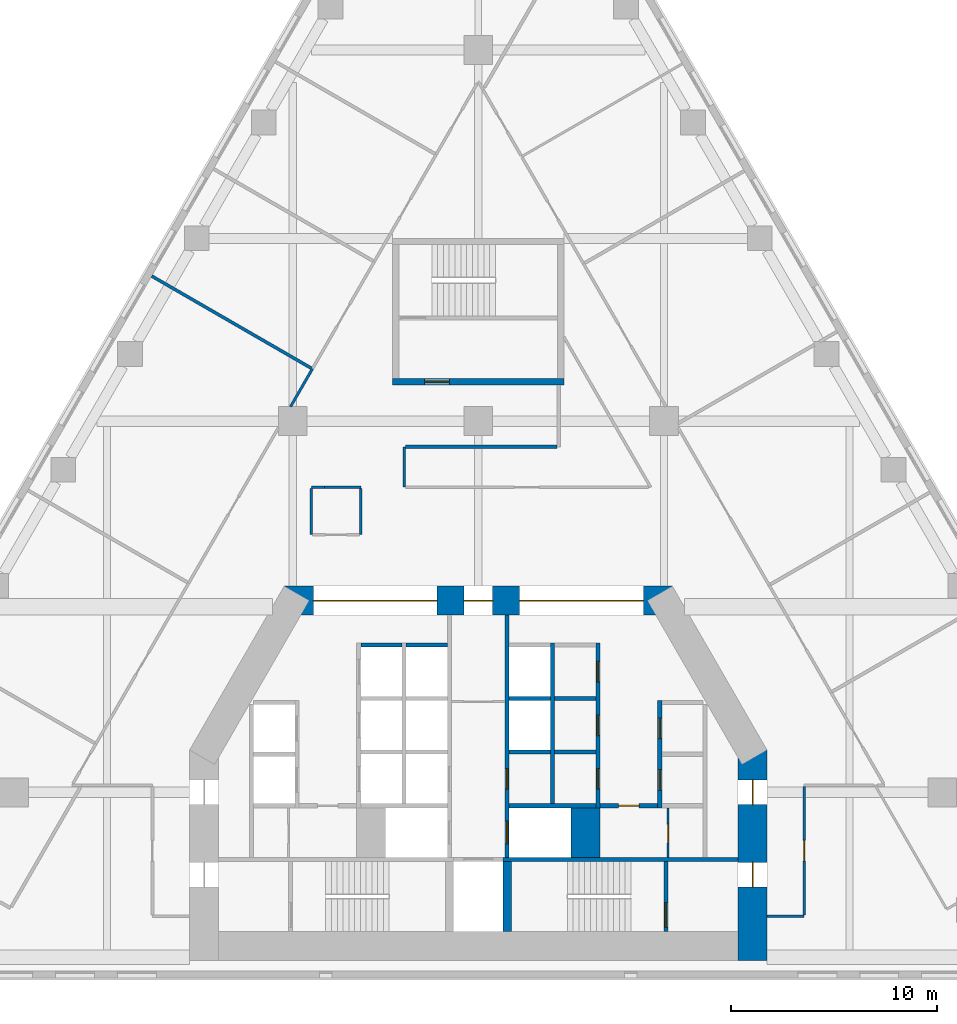
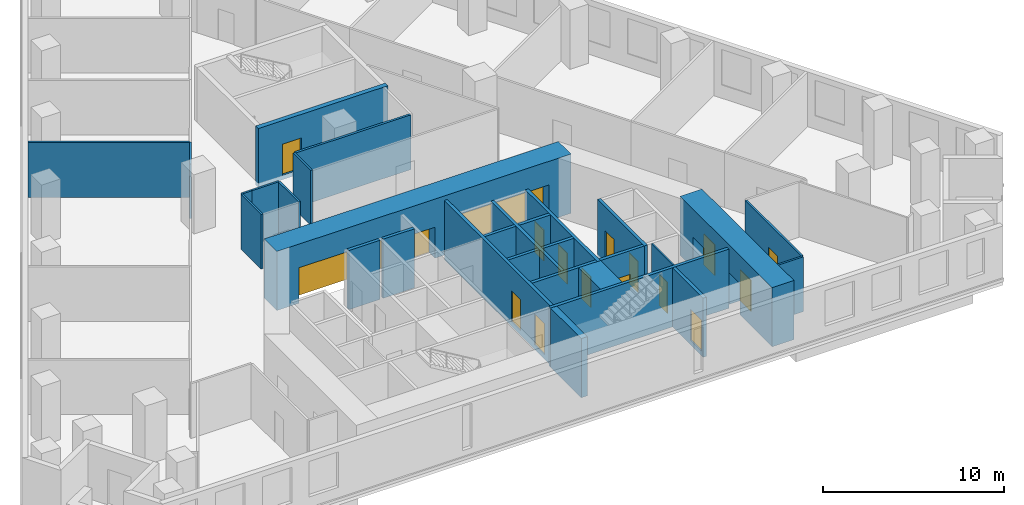
# One storey, part 5 of 9: 30 walls, 17 doors, 17 openings.
"""IFC4 building model written with IfcOpenShell, lengths in metres."""

from ifc_helpers import new_model, si_unit, direction, frame, frame_2d, origin, place, context, subcontext, project, spatial, rectangle, extrude, material, layer, layer_set, type_object, element, fill, save


model = new_model("IFC4")

# Units and contexts
model_context = context("Model", 3, precision=1e-05, world=origin(), true_north=direction((0.0, 1.0)))
body_context = subcontext(model_context, "Body", "Model", "MODEL_VIEW")
ifc_project = project(units=[si_unit("LENGTHUNIT", "METRE"), si_unit("AREAUNIT", "SQUARE_METRE"), si_unit("VOLUMEUNIT", "CUBIC_METRE"), si_unit("PLANEANGLEUNIT", "RADIAN"), si_unit("MASSUNIT", "GRAM", prefix="KILO")], contexts=[model_context])

# Site, building, storey
site_placement = place(None, origin())
site = spatial("IfcSite", under=ifc_project, at=site_placement, CompositionType="ELEMENT")
building_placement = place(site_placement, origin())
building = spatial("IfcBuilding", under=site, at=building_placement, Name="Fogline Exchange Tower", CompositionType="ELEMENT")
storey_placement = place(building_placement, frame((0.0, 0.0, 68.89990234375)))
storey = spatial("IfcBuildingStorey", under=building, at=storey_placement, Name="L14", CompositionType="ELEMENT", Elevation=68.89990234375)

# Wall, opening, door
ifc_material_1 = material(Name="Blockwork partition", Category="masonry")
ifc_layer_1 = layer(ifc_material_1, 0.10009765625)
ifc_layer_set_1 = layer_set([ifc_layer_1], Name="CW10")
wall_type_1 = type_object("IfcWallType", Name="CW10", PredefinedType="PARTITIONING", material=ifc_layer_set_1)
wall_1_placement = place(storey_placement, frame((9.199951171875, 5.85009765625, 0.0), z_axis=(0.0, 0.0, 1.0), x_axis=(0.0, 1.0, 0.0)))
wall_1 = element("IfcWall", 1, at=wall_1_placement, inside=storey, type_object=wall_type_1, Name="WC partition", PredefinedType="PARTITIONING", context=body_context, shape_type="SweptSolid", body=[
    extrude(rectangle(XDim=2.39990234375, YDim=0.10009765625, at=frame_2d((1.199951171875, 0.0))), origin(), (0.0, 0.0, 1.0), 3.7001953125),
])
opening_1_placement = place(wall_1_placement, frame((0.699951171875, 0.0, 0.0)))
opening_1 = element("IfcOpeningElement", 2, at=opening_1_placement, cuts=wall_1, Name="Opening T04-C013", PredefinedType="OPENING", context=body_context, shape_type="SweptSolid", body=[
    extrude(rectangle(XDim=0.89990234375, YDim=2.10009765625, at=frame_2d((0.449951171875, 1.050048828125))), frame((0.0, 0.06005859375, 0.0), z_axis=(0.0, -1.0, 0.0), x_axis=(1.0, 0.0, 0.0)), (0.0, 0.0, 1.0), 0.1201171875),
])
ifc_material_2 = material(Name="Steel and timber fire door", Category="steel")
door_type_1 = type_object("IfcDoorType", Name="D-CS1", OperationType="SINGLE_SWING_RIGHT", PredefinedType="DOOR", material=ifc_material_2)
door_1_placement = place(opening_1_placement, frame((0.89990234375, 0.0, 0.0), z_axis=(0.0, 0.0, 1.0), x_axis=(-1.0, 0.0, 0.0)))
door_1 = element("IfcDoor", 3, at=door_1_placement, inside=storey, type_object=door_type_1, Name="Door to Cleaner's Store", OperationType="SINGLE_SWING_RIGHT", OverallHeight=2.10009765625, OverallWidth=0.89990234375, PredefinedType="DOOR", context=body_context, shape_type="SweptSolid", body=[
    extrude(rectangle(XDim=0.89990234375, YDim=2.10009765625, at=frame_2d((0.449951171875, 1.050048828125))), frame((0.0, 0.02490234375, 0.0), z_axis=(0.0, -1.0, 0.0), x_axis=(1.0, 0.0, 0.0)), (0.0, 0.0, 1.0), 0.050048828125),
])
fill(opening_1, door_1)

# Wall
ifc_material_3 = material(Name="Concrete C60", Category="concrete")
ifc_layer_2 = layer(ifc_material_3, 1.39990234375)
ifc_layer_set_2 = layer_set([ifc_layer_2], Name="CW140")
wall_type_2 = type_object("IfcWallType", Name="CW140", PredefinedType="SOLIDWALL", material=ifc_layer_set_2)
wall_2_placement = place(storey_placement, frame((5.199951171875, 5.85009765625, -0.2998046875), z_axis=(0.0, 0.0, 1.0), x_axis=(0.0, 1.0, 0.0)))
element("IfcWall", 4, at=wall_2_placement, inside=storey, type_object=wall_type_2, Name="Lift shaft block wall", PredefinedType="SOLIDWALL", context=body_context, shape_type="SweptSolid", body=[
    extrude(rectangle(XDim=2.39990234375, YDim=1.39990234375, at=frame_2d((1.199951171875, 0.0))), origin(), (0.0, 0.0, 1.0), 4.0),
])

# Wall, opening, door
ifc_material_4 = material(Name="Concrete C40", Category="concrete")
ifc_layer_3 = layer(ifc_material_4, 0.199951171875)
ifc_layer_set_3 = layer_set([ifc_layer_3], Name="CW20")
wall_type_3 = type_object("IfcWallType", Name="CW20", PredefinedType="SOLIDWALL", material=ifc_layer_set_3)
wall_3_placement = place(storey_placement, frame((5.89990234375, 8.35009765625, 0.0), z_axis=(0.0, 0.0, 1.0), x_axis=(1.0, 0.0, 0.0)))
wall_3 = element("IfcWall", 5, at=wall_3_placement, inside=storey, type_object=wall_type_3, Name="WC wall", PredefinedType="SOLIDWALL", context=body_context, shape_type="SweptSolid", body=[
    extrude(rectangle(XDim=2.800048828125, YDim=0.199951171875, at=frame_2d((1.39990234375, 0.0))), origin(), (0.0, 0.0, 1.0), 3.7001953125),
])
opening_2_placement = place(wall_3_placement, frame((0.89990234375, 0.0, 0.0)))
opening_2 = element("IfcOpeningElement", 6, at=opening_2_placement, cuts=wall_3, Name="Opening T04-C012", PredefinedType="OPENING", context=body_context, shape_type="SweptSolid", body=[
    extrude(rectangle(XDim=1.0, YDim=2.10009765625, at=frame_2d((0.5, 1.050048828125))), frame((0.0, 0.10986328125, 0.0), z_axis=(0.0, -1.0, 0.0), x_axis=(1.0, 0.0, 0.0)), (0.0, 0.0, 1.0), 0.219970703125),
])
door_type_2 = type_object("IfcDoorType", Name="D-WC1", OperationType="SINGLE_SWING_LEFT", PredefinedType="DOOR", material=ifc_material_2)
door_2_placement = place(opening_2_placement, frame((1.0, 0.0, 0.0), z_axis=(0.0, 0.0, 1.0), x_axis=(-1.0, 0.0, 0.0)))
door_2 = element("IfcDoor", 7, at=door_2_placement, inside=storey, type_object=door_type_2, Name="Door to Women's WC", OperationType="SINGLE_SWING_LEFT", OverallHeight=2.10009765625, OverallWidth=1.0, PredefinedType="DOOR", context=body_context, shape_type="SweptSolid", body=[
    extrude(rectangle(XDim=1.0, YDim=2.10009765625, at=frame_2d((0.5, 1.050048828125))), frame((0.0, 0.02490234375, 0.0), z_axis=(0.0, -1.0, 0.0), x_axis=(1.0, 0.0, 0.0)), (0.0, 0.0, 1.0), 0.050048828125),
])
fill(opening_2, door_2)

# Wall
ifc_layer_4 = layer(ifc_material_4, 0.199951171875)
ifc_layer_set_4 = layer_set([ifc_layer_4], Name="CW20R")
wall_type_4 = type_object("IfcWallType", Name="CW20R", PredefinedType="SOLIDWALL", material=ifc_layer_set_4)
wall_4_placement = place(storey_placement, frame((1.199951171875, 5.75, -0.2998046875), z_axis=(0.0, 0.0, 1.0), x_axis=(1.0, 0.0, 0.0)))
element("IfcWall", 8, at=wall_4_placement, inside=storey, type_object=wall_type_4, Name="Stair enclosure wall", PredefinedType="SOLIDWALL", context=body_context, shape_type="SweptSolid", body=[
    extrude(rectangle(XDim=11.400146484375, YDim=0.199951171875, at=frame_2d((5.7001953125, 0.0))), origin(), (0.0, 0.0, 1.0), 4.0),
])

# Wall, opening, door
wall_5_placement = place(storey_placement, frame((9.10009765625, 2.25, -0.2998046875), z_axis=(0.0, 0.0, 1.0), x_axis=(0.0, 1.0, 0.0)))
wall_5 = element("IfcWall", 9, at=wall_5_placement, inside=storey, type_object=wall_type_4, Name="Stair enclosure wall", PredefinedType="SOLIDWALL", context=body_context, shape_type="SweptSolid", body=[
    extrude(rectangle(XDim=3.39990234375, YDim=0.199951171875, at=frame_2d((1.699951171875, 0.0))), origin(), (0.0, 0.0, 1.0), 4.0),
])
opening_3_placement = place(wall_5_placement, frame((0.199951171875, 0.0, 0.300048828125)))
opening_3 = element("IfcOpeningElement", 10, at=opening_3_placement, cuts=wall_5, Name="Opening T04-C015", PredefinedType="OPENING", context=body_context, shape_type="SweptSolid", body=[
    extrude(rectangle(XDim=1.199951171875, YDim=2.10009765625, at=frame_2d((0.60009765625, 1.050048828125))), frame((0.0, 0.10986328125, 0.0), z_axis=(0.0, -1.0, 0.0), x_axis=(1.0, 0.0, 0.0)), (0.0, 0.0, 1.0), 0.219970703125),
])
door_type_3 = type_object("IfcDoorType", Name="D-ST1", OperationType="SINGLE_SWING_LEFT", PredefinedType="DOOR", material=ifc_material_2)
door_3_placement = place(opening_3_placement, origin())
door_3 = element("IfcDoor", 11, at=door_3_placement, inside=storey, type_object=door_type_3, Name="Stair door ST2", OperationType="SINGLE_SWING_LEFT", OverallHeight=2.10009765625, OverallWidth=1.199951171875, PredefinedType="DOOR", context=body_context, shape_type="SweptSolid", body=[
    extrude(rectangle(XDim=1.199951171875, YDim=2.10009765625, at=frame_2d((0.60009765625, 1.050048828125))), frame((0.0, 0.02490234375, 0.0), z_axis=(0.0, -1.0, 0.0), x_axis=(1.0, 0.0, 0.0)), (0.0, 0.0, 1.0), 0.050048828125),
])
fill(opening_3, door_3)

# Wall, openings, doors
ifc_layer_5 = layer(ifc_material_4, 0.199951171875)
ifc_layer_set_5 = layer_set([ifc_layer_5], Name="CW20S")
wall_type_5 = type_object("IfcWallType", Name="CW20S", PredefinedType="SOLIDWALL", material=ifc_layer_set_5)
wall_6_placement = place(storey_placement, frame((8.800048828125, 8.25, -0.2998046875), z_axis=(0.0, 0.0, 1.0), x_axis=(0.0, 1.0, 0.0)))
wall_6 = element("IfcWall", 12, at=wall_6_placement, inside=storey, type_object=wall_type_5, Name="Lift shaft wall", PredefinedType="SOLIDWALL", context=body_context, shape_type="SweptSolid", body=[
    extrude(rectangle(XDim=5.199951171875, YDim=0.199951171875, at=frame_2d((2.60009765625, 0.0))), origin(), (0.0, 0.0, 1.0), 4.0),
])
opening_4_placement = place(wall_6_placement, frame((0.85009765625, 0.0, 0.300048828125)))
opening_4 = element("IfcOpeningElement", 13, at=opening_4_placement, cuts=wall_6, Name="Opening T04-C001", PredefinedType="OPENING", context=body_context, shape_type="SweptSolid", body=[
    extrude(rectangle(XDim=1.0, YDim=2.10009765625, at=frame_2d((0.5, 1.050048828125))), frame((0.0, 0.10986328125, 0.0), z_axis=(0.0, -1.0, 0.0), x_axis=(1.0, 0.0, 0.0)), (0.0, 0.0, 1.0), 0.219970703125),
])
opening_5_placement = place(wall_6_placement, frame((3.35009765625, 0.0, 0.300048828125)))
opening_5 = element("IfcOpeningElement", 14, at=opening_5_placement, cuts=wall_6, Name="Opening T04-C002", PredefinedType="OPENING", context=body_context, shape_type="SweptSolid", body=[
    extrude(rectangle(XDim=1.0, YDim=2.10009765625, at=frame_2d((0.5, 1.050048828125))), frame((0.0, 0.10986328125, 0.0), z_axis=(0.0, -1.0, 0.0), x_axis=(1.0, 0.0, 0.0)), (0.0, 0.0, 1.0), 0.219970703125),
])
door_type_4 = type_object("IfcDoorType", Name="D-RM1", OperationType="SINGLE_SWING_LEFT", PredefinedType="DOOR", material=ifc_material_2)
door_4_placement = place(opening_4_placement, frame((1.0, 0.0, 0.0), z_axis=(0.0, 0.0, 1.0), x_axis=(-1.0, 0.0, 0.0)))
door_4 = element("IfcDoor", 15, at=door_4_placement, inside=storey, type_object=door_type_4, Name="Door to Stationery Store", OperationType="SINGLE_SWING_LEFT", OverallHeight=2.10009765625, OverallWidth=1.0, PredefinedType="DOOR", context=body_context, shape_type="SweptSolid", body=[
    extrude(rectangle(XDim=1.0, YDim=2.10009765625, at=frame_2d((0.5, 1.050048828125))), frame((0.0, 0.02490234375, 0.0), z_axis=(0.0, -1.0, 0.0), x_axis=(1.0, 0.0, 0.0)), (0.0, 0.0, 1.0), 0.050048828125),
])
fill(opening_4, door_4)
door_5_placement = place(opening_5_placement, frame((1.0, 0.0, 0.0), z_axis=(0.0, 0.0, 1.0), x_axis=(-1.0, 0.0, 0.0)))
door_5 = element("IfcDoor", 16, at=door_5_placement, inside=storey, type_object=door_type_4, Name="Door to Records Store", OperationType="SINGLE_SWING_LEFT", OverallHeight=2.10009765625, OverallWidth=1.0, PredefinedType="DOOR", context=body_context, shape_type="SweptSolid", body=[
    extrude(rectangle(XDim=1.0, YDim=2.10009765625, at=frame_2d((0.5, 1.050048828125))), frame((0.0, 0.02490234375, 0.0), z_axis=(0.0, -1.0, 0.0), x_axis=(1.0, 0.0, 0.0)), (0.0, 0.0, 1.0), 0.050048828125),
])
fill(opening_5, door_5)

wall_7_placement = place(storey_placement, frame((5.800048828125, 8.25, -0.2998046875), z_axis=(0.0, 0.0, 1.0), x_axis=(0.0, 1.0, 0.0)))
wall_7 = element("IfcWall", 17, at=wall_7_placement, inside=storey, type_object=wall_type_5, Name="Lift shaft wall", PredefinedType="SOLIDWALL", context=body_context, shape_type="SweptSolid", body=[
    extrude(rectangle(XDim=8.0, YDim=0.199951171875, at=frame_2d((4.0, 0.0))), origin(), (0.0, 0.0, 1.0), 4.0),
])
opening_6_placement = place(wall_7_placement, frame((0.89990234375, 0.0, 0.300048828125)))
opening_6 = element("IfcOpeningElement", 18, at=opening_6_placement, cuts=wall_7, Name="Opening T04-C003", PredefinedType="OPENING", context=body_context, shape_type="SweptSolid", body=[
    extrude(rectangle(XDim=1.0, YDim=2.10009765625, at=frame_2d((0.5, 1.050048828125))), frame((0.0, 0.10986328125, 0.0), z_axis=(0.0, -1.0, 0.0), x_axis=(1.0, 0.0, 0.0)), (0.0, 0.0, 1.0), 0.219970703125),
])
opening_7_placement = place(wall_7_placement, frame((3.5, 0.0, 0.300048828125)))
opening_7 = element("IfcOpeningElement", 19, at=opening_7_placement, cuts=wall_7, Name="Opening T04-C004", PredefinedType="OPENING", context=body_context, shape_type="SweptSolid", body=[
    extrude(rectangle(XDim=1.0, YDim=2.10009765625, at=frame_2d((0.5, 1.050048828125))), frame((0.0, 0.10986328125, 0.0), z_axis=(0.0, -1.0, 0.0), x_axis=(1.0, 0.0, 0.0)), (0.0, 0.0, 1.0), 0.219970703125),
])
opening_8_placement = place(wall_7_placement, frame((6.10009765625, 0.0, 0.300048828125)))
opening_8 = element("IfcOpeningElement", 20, at=opening_8_placement, cuts=wall_7, Name="Opening T04-C005", PredefinedType="OPENING", context=body_context, shape_type="SweptSolid", body=[
    extrude(rectangle(XDim=1.0, YDim=2.10009765625, at=frame_2d((0.5, 1.050048828125))), frame((0.0, 0.10986328125, 0.0), z_axis=(0.0, -1.0, 0.0), x_axis=(1.0, 0.0, 0.0)), (0.0, 0.0, 1.0), 0.219970703125),
])
door_6_placement = place(opening_6_placement, origin())
door_6 = element("IfcDoor", 21, at=door_6_placement, inside=storey, type_object=door_type_4, Name="Door to Riser Room", OperationType="SINGLE_SWING_RIGHT", OverallHeight=2.10009765625, OverallWidth=1.0, PredefinedType="DOOR", context=body_context, shape_type="SweptSolid", body=[
    extrude(rectangle(XDim=1.0, YDim=2.10009765625, at=frame_2d((0.5, 1.050048828125))), frame((0.0, 0.02490234375, 0.0), z_axis=(0.0, -1.0, 0.0), x_axis=(1.0, 0.0, 0.0)), (0.0, 0.0, 1.0), 0.050048828125),
])
fill(opening_6, door_6)
door_7_placement = place(opening_7_placement, origin())
door_7 = element("IfcDoor", 22, at=door_7_placement, inside=storey, type_object=door_type_4, Name="Door to Plant Room", OperationType="SINGLE_SWING_LEFT", OverallHeight=2.10009765625, OverallWidth=1.0, PredefinedType="DOOR", context=body_context, shape_type="SweptSolid", body=[
    extrude(rectangle(XDim=1.0, YDim=2.10009765625, at=frame_2d((0.5, 1.050048828125))), frame((0.0, 0.02490234375, 0.0), z_axis=(0.0, -1.0, 0.0), x_axis=(1.0, 0.0, 0.0)), (0.0, 0.0, 1.0), 0.050048828125),
])
fill(opening_7, door_7)
door_8_placement = place(opening_8_placement, origin())
door_8 = element("IfcDoor", 23, at=door_8_placement, inside=storey, type_object=door_type_4, Name="Door to Cable Store", OperationType="SINGLE_SWING_LEFT", OverallHeight=2.10009765625, OverallWidth=1.0, PredefinedType="DOOR", context=body_context, shape_type="SweptSolid", body=[
    extrude(rectangle(XDim=1.0, YDim=2.10009765625, at=frame_2d((0.5, 1.050048828125))), frame((0.0, 0.02490234375, 0.0), z_axis=(0.0, -1.0, 0.0), x_axis=(1.0, 0.0, 0.0)), (0.0, 0.0, 1.0), 0.050048828125),
])
fill(opening_8, door_8)

# Wall
wall_8_placement = place(storey_placement, frame((3.60009765625, 8.449951171875, -0.2998046875), z_axis=(0.0, 0.0, 1.0), x_axis=(0.0, 1.0, 0.0)))
element("IfcWall", 24, at=wall_8_placement, inside=storey, type_object=wall_type_5, Name="Lift shaft wall", PredefinedType="SOLIDWALL", context=body_context, shape_type="SweptSolid", body=[
    extrude(rectangle(XDim=7.800048828125, YDim=0.199951171875, at=frame_2d((3.89990234375, 0.0))), origin(), (0.0, 0.0, 1.0), 4.0),
])

# Wall, openings, doors
wall_9_placement = place(storey_placement, frame((1.39990234375, 5.85009765625, -0.2998046875), z_axis=(0.0, 0.0, 1.0), x_axis=(0.0, 1.0, 0.0)))
wall_9 = element("IfcWall", 25, at=wall_9_placement, inside=storey, type_object=wall_type_5, Name="Lift lobby wall", PredefinedType="SOLIDWALL", context=body_context, shape_type="SweptSolid", body=[
    extrude(rectangle(XDim=11.75, YDim=0.199951171875, at=frame_2d((5.875, 0.0))), origin(), (0.0, 0.0, 1.0), 4.0),
])
opening_9_placement = place(wall_9_placement, frame((0.64990234375, 0.0, 0.300048828125)))
opening_9 = element("IfcOpeningElement", 26, at=opening_9_placement, cuts=wall_9, Name="Opening T04-LD08", PredefinedType="OPENING", context=body_context, shape_type="SweptSolid", body=[
    extrude(rectangle(XDim=1.10009765625, YDim=2.10009765625, at=frame_2d((0.550048828125, 1.050048828125))), frame((0.0, 0.10986328125, 0.0), z_axis=(0.0, -1.0, 0.0), x_axis=(1.0, 0.0, 0.0)), (0.0, 0.0, 1.0), 0.219970703125),
])
opening_10_placement = place(wall_9_placement, frame((3.300048828125, 0.0, 0.300048828125)))
opening_10 = element("IfcOpeningElement", 27, at=opening_10_placement, cuts=wall_9, Name="Opening T04-C006", PredefinedType="OPENING", context=body_context, shape_type="SweptSolid", body=[
    extrude(rectangle(XDim=1.0, YDim=2.10009765625, at=frame_2d((0.5, 1.050048828125))), frame((0.0, 0.10986328125, 0.0), z_axis=(0.0, -1.0, 0.0), x_axis=(1.0, 0.0, 0.0)), (0.0, 0.0, 1.0), 0.219970703125),
])
door_9_placement = place(opening_10_placement, frame((1.0, 0.0, 0.0), z_axis=(0.0, 0.0, 1.0), x_axis=(-1.0, 0.0, 0.0)))
door_9 = element("IfcDoor", 28, at=door_9_placement, inside=storey, type_object=door_type_4, Name="Door to Server Room", OperationType="SINGLE_SWING_RIGHT", OverallHeight=2.10009765625, OverallWidth=1.0, PredefinedType="DOOR", context=body_context, shape_type="SweptSolid", body=[
    extrude(rectangle(XDim=1.0, YDim=2.10009765625, at=frame_2d((0.5, 1.050048828125))), frame((0.0, 0.02490234375, 0.0), z_axis=(0.0, -1.0, 0.0), x_axis=(1.0, 0.0, 0.0)), (0.0, 0.0, 1.0), 0.050048828125),
])
fill(opening_10, door_9)
door_type_5 = type_object("IfcDoorType", Name="LD2", OperationType="SLIDING_TO_RIGHT", PredefinedType="DOOR", material=ifc_material_2)
door_10_placement = place(opening_9_placement, origin())
door_10 = element("IfcDoor", 29, at=door_10_placement, inside=storey, type_object=door_type_5, Name="Landing door FF2", OperationType="SLIDING_TO_RIGHT", OverallHeight=2.10009765625, OverallWidth=1.10009765625, PredefinedType="DOOR", context=body_context, shape_type="SweptSolid", body=[
    extrude(rectangle(XDim=1.10009765625, YDim=2.10009765625, at=frame_2d((0.550048828125, 1.050048828125))), frame((0.0, 0.02490234375, 0.0), z_axis=(0.0, -1.0, 0.0), x_axis=(1.0, 0.0, 0.0)), (0.0, 0.0, 1.0), 0.050048828125),
])
fill(opening_9, door_10)

# Walls
wall_10_placement = place(storey_placement, frame((1.5, 8.35009765625, -0.2998046875), z_axis=(0.0, 0.0, 1.0), x_axis=(1.0, 0.0, 0.0)))
element("IfcWall", 30, at=wall_10_placement, inside=storey, type_object=wall_type_5, Name="Lift shaft wall", PredefinedType="SOLIDWALL", context=body_context, shape_type="SweptSolid", body=[
    extrude(rectangle(XDim=4.199951171875, YDim=0.199951171875, at=frame_2d((2.10009765625, 0.0))), origin(), (0.0, 0.0, 1.0), 4.0),
])
for number, where, z_axis, x_axis, name in (
    (31, (-5.699951171875, 16.14990234375, -0.2998046875), (0.0, 0.0, 1.0), (1.0, 0.0, 0.0), "Lift shaft wall"),
    (32, (-3.5, 16.14990234375, -0.2998046875), (0.0, 0.0, 1.0), (1.0, 0.0, 0.0), "Lift shaft wall"),
    (33, (3.699951171875, 10.949951171875, -0.2998046875), (0.0, 0.0, 1.0), (1.0, 0.0, 0.0), "Lift shaft wall"),
    (34, (3.699951171875, 13.550048828125, -0.2998046875), (0.0, 0.0, 1.0), (1.0, 0.0, 0.0), "Lift shaft wall"),
    (35, (1.5, 10.949951171875, -0.2998046875), (0.0, 0.0, 1.0), (1.0, 0.0, 0.0), "Lift shaft wall"),
    (36, (1.5, 13.550048828125, -0.2998046875), (0.0, 0.0, 1.0), (1.0, 0.0, 0.0), "Lift shaft wall"),
):
    element("IfcWall", number, at=place(storey_placement, frame(where, z_axis=z_axis, x_axis=x_axis)), inside=storey, type_object=wall_type_5, Name=name, PredefinedType="SOLIDWALL", context=body_context, shape_type="SweptSolid", body=[
        extrude(rectangle(XDim=2.0, YDim=0.199951171875, at=frame_2d((1.0, 0.0))), origin(), (0.0, 0.0, 1.0), 4.0),
    ])

# Wall, opening, door
ifc_layer_6 = layer(ifc_material_4, 0.300048828125)
ifc_layer_set_6 = layer_set([ifc_layer_6], Name="CW30")
wall_type_6 = type_object("IfcWallType", Name="CW30", PredefinedType="SOLIDWALL", material=ifc_layer_set_6)
wall_11_placement = place(storey_placement, frame((-4.14990234375, 28.906982421875, -0.2998046875), z_axis=(0.0, 0.0, 1.0), x_axis=(1.0, 0.0, 0.0)))
wall_11 = element("IfcWall", 37, at=wall_11_placement, inside=storey, type_object=wall_type_6, Name="Stair enclosure wall ST3", PredefinedType="SOLIDWALL", context=body_context, shape_type="SweptSolid", body=[
    extrude(rectangle(XDim=8.2998046875, YDim=0.300048828125, at=frame_2d((4.14990234375, 0.0))), origin(), (0.0, 0.0, 1.0), 4.0),
])
opening_11_placement = place(wall_11_placement, frame((1.550048828125, 0.0, 0.300048828125)))
opening_11 = element("IfcOpeningElement", 38, at=opening_11_placement, cuts=wall_11, Name="Opening T04-C021", PredefinedType="OPENING", context=body_context, shape_type="SweptSolid", body=[
    extrude(rectangle(XDim=1.199951171875, YDim=2.10009765625, at=frame_2d((0.60009765625, 1.050048828125))), frame((0.0, 0.16015625, 0.0), z_axis=(0.0, -1.0, 0.0), x_axis=(1.0, 0.0, 0.0)), (0.0, 0.0, 1.0), 0.320068359375),
])
door_type_6 = type_object("IfcDoorType", Name="D-FR1", OperationType="SINGLE_SWING_RIGHT", PredefinedType="DOOR", material=ifc_material_2)
door_11_placement = place(opening_11_placement, origin())
door_11 = element("IfcDoor", 39, at=door_11_placement, inside=storey, type_object=door_type_6, Name="Front room door ST3", OperationType="SINGLE_SWING_LEFT", OverallHeight=2.10009765625, OverallWidth=1.199951171875, PredefinedType="DOOR", context=body_context, shape_type="SweptSolid", body=[
    extrude(rectangle(XDim=1.199951171875, YDim=2.10009765625, at=frame_2d((0.60009765625, 1.050048828125))), frame((0.0, 0.02490234375, 0.0), z_axis=(0.0, -1.0, 0.0), x_axis=(1.0, 0.0, 0.0)), (0.0, 0.0, 1.0), 0.050048828125),
])
fill(opening_11, door_11)

# Wall
ifc_layer_7 = layer(ifc_material_4, 0.39990234375)
ifc_layer_set_7 = layer_set([ifc_layer_7], Name="CW40R")
wall_type_7 = type_object("IfcWallType", Name="CW40R", PredefinedType="SOLIDWALL", material=ifc_layer_set_7)
wall_12_placement = place(storey_placement, frame((1.39990234375, 2.25, -0.2998046875), z_axis=(0.0, 0.0, 1.0), x_axis=(0.0, 1.0, 0.0)))
element("IfcWall", 40, at=wall_12_placement, inside=storey, type_object=wall_type_7, Name="Stair and lift shaft wall", PredefinedType="SOLIDWALL", context=body_context, shape_type="SweptSolid", body=[
    extrude(rectangle(XDim=3.39990234375, YDim=0.39990234375, at=frame_2d((1.699951171875, 0.0))), origin(), (0.0, 0.0, 1.0), 4.0),
])

# Wall, opening, door
ifc_material_5 = material(Name="Plasterboard corridor partition with mineral wool, 2 layers each side")
ifc_layer_8 = layer(ifc_material_5, 0.125)
ifc_layer_set_8 = layer_set([ifc_layer_8], Name="PW2")
wall_type_8 = type_object("IfcWallType", Name="PW2", PredefinedType="PARTITIONING", material=ifc_layer_set_8)
wall_13_placement = place(storey_placement, frame((15.800048828125, 9.277587890625, 0.0), z_axis=(0.0, 0.0, 1.0), x_axis=(0.0, -1.0, 0.0)))
wall_13 = element("IfcWall", 41, at=wall_13_placement, inside=storey, type_object=wall_type_8, Name="wall-L14-W001", PredefinedType="PARTITIONING", context=body_context, shape_type="SweptSolid", body=[
    extrude(rectangle(XDim=6.215087890625, YDim=0.125, at=frame_2d((3.107421875, 0.0))), origin(), (0.0, 0.0, 1.0), 3.7001953125),
])
opening_12_placement = place(wall_13_placement, frame((2.607421875, 0.0, 0.0)))
opening_12 = element("IfcOpeningElement", 42, at=opening_12_placement, cuts=wall_13, Name="Opening T04-D001", PredefinedType="OPENING", context=body_context, shape_type="SweptSolid", body=[
    extrude(rectangle(XDim=1.0, YDim=2.10009765625, at=frame_2d((0.5, 1.050048828125))), frame((0.0, 0.072509765625, 0.0), z_axis=(0.0, -1.0, 0.0), x_axis=(1.0, 0.0, 0.0)), (0.0, 0.0, 1.0), 0.14501953125),
])
ifc_material_6 = material(Name="Fire-rated timber door leaf with steel frame", Category="steel")
door_type_7 = type_object("IfcDoorType", Name="D3", OperationType="SINGLE_SWING_LEFT", PredefinedType="DOOR", material=ifc_material_6)
door_12_placement = place(opening_12_placement, origin())
door_12 = element("IfcDoor", 43, at=door_12_placement, inside=storey, type_object=door_type_7, Name="door-L14-D001", OperationType="SINGLE_SWING_LEFT", OverallHeight=2.10009765625, OverallWidth=1.0, PredefinedType="DOOR", context=body_context, shape_type="SweptSolid", body=[
    extrude(rectangle(XDim=1.0, YDim=2.10009765625, at=frame_2d((0.5, 1.050048828125))), frame((0.0, 0.02490234375, 0.0), z_axis=(0.0, -1.0, 0.0), x_axis=(1.0, 0.0, 0.0)), (0.0, 0.0, 1.0), 0.050048828125),
])
fill(opening_12, door_12)

# Walls
wall_14_placement = place(storey_placement, frame((15.800048828125, 3.0, 0.0), z_axis=(0.0, 0.0, 1.0), x_axis=(-1.0, 0.0, 0.0)))
element("IfcWall", 44, at=wall_14_placement, inside=storey, type_object=wall_type_8, Name="wall-L14-W002", PredefinedType="PARTITIONING", context=body_context, shape_type="SweptSolid", body=[
    extrude(rectangle(XDim=1.800048828125, YDim=0.125, at=frame_2d((0.89990234375, 0.0))), origin(), (0.0, 0.0, 1.0), 3.7001953125),
])
for number, where, z_axis, x_axis, name in (
    (45, (-8.10009765625, 23.737548828125, 0.0), (0.0, 0.0, 1.0), (0.0, -1.0, 0.0), "wall-L14-W004"),
    (46, (-5.699951171875, 21.5, 0.0), (0.0, 0.0, 1.0), (0.0, 1.0, 0.0), "wall-L14-W006"),
):
    element("IfcWall", number, at=place(storey_placement, frame(where, z_axis=z_axis, x_axis=x_axis)), inside=storey, type_object=wall_type_8, Name=name, PredefinedType="PARTITIONING", context=body_context, shape_type="SweptSolid", body=[
        extrude(rectangle(XDim=2.237548828125, YDim=0.125, at=frame_2d((1.11865234375, 0.0))), origin(), (0.0, 0.0, 1.0), 3.7001953125),
    ])
wall_15_placement = place(storey_placement, frame((-9.10546875, 27.699951171875, 0.0), z_axis=(0.0, 0.0, 1.0), x_axis=(0.500037910135, 0.866003515251, 0.0)))
element("IfcWall", 47, at=wall_15_placement, inside=storey, type_object=wall_type_8, Name="wall-L14-W019", PredefinedType="PARTITIONING", context=body_context, shape_type="SweptSolid", body=[
    extrude(rectangle(XDim=2.121337890625, YDim=0.125, at=frame_2d((1.060546875, 0.0))), origin(), (0.0, 0.0, 1.0), 3.7001953125),
])
wall_16_placement = place(storey_placement, frame((-7.447998046875, 23.800048828125, 0.0), z_axis=(0.0, 0.0, 1.0), x_axis=(-1.0, 0.0, 0.0)))
element("IfcWall", 48, at=wall_16_placement, inside=storey, type_object=wall_type_8, Name="wall-L14-W020", PredefinedType="PARTITIONING", context=body_context, shape_type="SweptSolid", body=[
    extrude(rectangle(XDim=0.652099609375, YDim=0.125, at=frame_2d((0.326171875, 0.0))), origin(), (0.0, 0.0, 1.0), 3.7001953125),
])
wall_17_placement = place(storey_placement, frame((-3.60009765625, 25.757080078125, 0.0), z_axis=(0.0, 0.0, 1.0), x_axis=(0.0, -1.0, 0.0)))
element("IfcWall", 49, at=wall_17_placement, inside=storey, type_object=wall_type_8, Name="wall-L14-W031", PredefinedType="PARTITIONING", context=body_context, shape_type="SweptSolid", body=[
    extrude(rectangle(XDim=1.95703125, YDim=0.125, at=frame_2d((0.978515625, 0.0))), origin(), (0.0, 0.0, 1.0), 3.7001953125),
])
wall_18_placement = place(storey_placement, frame((-5.699951171875, 23.800048828125, 0.0), z_axis=(0.0, 0.0, 1.0), x_axis=(-1.0, 0.0, 0.0)))
element("IfcWall", 50, at=wall_18_placement, inside=storey, type_object=wall_type_8, Name="wall-L14-W032", PredefinedType="PARTITIONING", context=body_context, shape_type="SweptSolid", body=[
    extrude(rectangle(XDim=1.748046875, YDim=0.125, at=frame_2d((0.8740234375, 0.0))), origin(), (0.0, 0.0, 1.0), 3.7001953125),
])
ifc_material_7 = material(Name="Plasterboard demising partition with mineral wool and acoustic board")
ifc_layer_9 = layer(ifc_material_7, 0.14990234375)
ifc_layer_set_9 = layer_set([ifc_layer_9], Name="PW3")
wall_type_9 = type_object("IfcWallType", Name="PW3", PredefinedType="PARTITIONING", material=ifc_layer_set_9)
wall_19_placement = place(storey_placement, frame((-8.098876953125, 29.568359375, 0.0), z_axis=(0.0, 0.0, 1.0), x_axis=(-0.866022276127, 0.500005417223, 0.0)))
element("IfcWall", 51, at=wall_19_placement, inside=storey, type_object=wall_type_9, Name="wall-L14-W042", PredefinedType="PARTITIONING", context=body_context, shape_type="SweptSolid", body=[
    extrude(rectangle(XDim=8.9375, YDim=0.14990234375, at=frame_2d((4.46875, 0.0))), origin(), (0.0, 0.0, 1.0), 3.7001953125),
])
ifc_material_8 = material(Name="Plasterboard stair lobby partition, 3 layers each side on steel studs", Category="steel")
ifc_layer_10 = layer(ifc_material_8, 0.14990234375)
ifc_layer_set_10 = layer_set([ifc_layer_10], Name="PW4")
wall_type_10 = type_object("IfcWallType", Name="PW4", PredefinedType="PARTITIONING", material=ifc_layer_set_10)
wall_20_placement = place(storey_placement, frame((3.824951171875, 25.757080078125, 0.0), z_axis=(0.0, 0.0, 1.0), x_axis=(-1.0, 0.0, 0.0)))
element("IfcWall", 52, at=wall_20_placement, inside=storey, type_object=wall_type_10, Name="wall-L14-W030", PredefinedType="PARTITIONING", context=body_context, shape_type="SweptSolid", body=[
    extrude(rectangle(XDim=7.362548828125, YDim=0.14990234375, at=frame_2d((3.68115234375, 0.0))), origin(), (0.0, 0.0, 1.0), 3.7001953125),
])

# Wall, openings, doors
ifc_layer_11 = layer(ifc_material_3, 1.39990234375)
ifc_layer_set_11 = layer_set([ifc_layer_11], Name="SW01")
wall_type_11 = type_object("IfcWallType", Name="SW01", PredefinedType="SHEAR", material=ifc_layer_set_11)
wall_21_placement = place(storey_placement, frame((13.300048828125, 0.85009765625, 0.0), z_axis=(0.0, 0.0, 1.0), x_axis=(0.0, 1.0, 0.0)))
wall_21 = element("IfcWall", 53, at=wall_21_placement, inside=storey, type_object=wall_type_11, Name="L14-W902", PredefinedType="SHEAR", context=body_context, shape_type="SweptSolid", body=[
    extrude(rectangle(XDim=10.202392578125, YDim=1.39990234375, at=frame_2d((5.10107421875, 0.0))), origin(), (0.0, 0.0, 1.0), 4.0),
])
opening_13_placement = place(wall_21_placement, frame((3.550048828125, 0.0, 0.0)))
opening_13 = element("IfcOpeningElement", 54, at=opening_13_placement, cuts=wall_21, Name="Opening T04-C014", PredefinedType="OPENING", context=body_context, shape_type="SweptSolid", body=[
    extrude(rectangle(XDim=1.199951171875, YDim=2.10009765625, at=frame_2d((0.60009765625, 1.050048828125))), frame((0.0, 0.7099609375, 0.0), z_axis=(0.0, -1.0, 0.0), x_axis=(1.0, 0.0, 0.0)), (0.0, 0.0, 1.0), 1.419921875),
])
opening_14_placement = place(wall_21_placement, frame((7.550048828125, 0.0, 0.0)))
opening_14 = element("IfcOpeningElement", 55, at=opening_14_placement, cuts=wall_21, Name="Opening T04-C016", PredefinedType="OPENING", context=body_context, shape_type="SweptSolid", body=[
    extrude(rectangle(XDim=1.199951171875, YDim=2.10009765625, at=frame_2d((0.60009765625, 1.050048828125))), frame((0.0, 0.7099609375, 0.0), z_axis=(0.0, -1.0, 0.0), x_axis=(1.0, 0.0, 0.0)), (0.0, 0.0, 1.0), 1.419921875),
])
door_13_placement = place(opening_13_placement, origin())
door_13 = element("IfcDoor", 56, at=door_13_placement, inside=storey, type_object=door_type_6, Name="Front room door ST2", OperationType="SINGLE_SWING_RIGHT", OverallHeight=2.10009765625, OverallWidth=1.199951171875, PredefinedType="DOOR", context=body_context, shape_type="SweptSolid", body=[
    extrude(rectangle(XDim=1.199951171875, YDim=2.10009765625, at=frame_2d((0.60009765625, 1.050048828125))), frame((0.0, 0.02490234375, 0.0), z_axis=(0.0, -1.0, 0.0), x_axis=(1.0, 0.0, 0.0)), (0.0, 0.0, 1.0), 0.050048828125),
])
fill(opening_13, door_13)
door_type_8 = type_object("IfcDoorType", Name="D-SV1", OperationType="SINGLE_SWING_LEFT", PredefinedType="DOOR", material=ifc_material_2)
door_14_placement = place(opening_14_placement, origin())
door_14 = element("IfcDoor", 57, at=door_14_placement, inside=storey, type_object=door_type_8, Name="Service door E", OperationType="SINGLE_SWING_RIGHT", OverallHeight=2.10009765625, OverallWidth=1.199951171875, PredefinedType="DOOR", context=body_context, shape_type="SweptSolid", body=[
    extrude(rectangle(XDim=1.199951171875, YDim=2.10009765625, at=frame_2d((0.60009765625, 1.050048828125))), frame((0.0, 0.02490234375, 0.0), z_axis=(0.0, -1.0, 0.0), x_axis=(1.0, 0.0, 0.0)), (0.0, 0.0, 1.0), 0.050048828125),
])
fill(opening_14, door_14)

wall_22_placement = place(storey_placement, frame((9.41162109375, 18.300048828125, 0.0), z_axis=(0.0, 0.0, 1.0), x_axis=(-1.0, 0.0, 0.0)))
wall_22 = element("IfcWall", 58, at=wall_22_placement, inside=storey, type_object=wall_type_11, Name="L14-W904", PredefinedType="SHEAR", context=body_context, shape_type="SweptSolid", body=[
    extrude(rectangle(XDim=18.8232421875, YDim=1.39990234375, at=frame_2d((9.41162109375, 0.0))), origin(), (0.0, 0.0, 1.0), 4.0),
])
opening_15_placement = place(wall_22_placement, frame((8.71142578125, 0.0, 0.0)))
opening_15 = element("IfcOpeningElement", 59, at=opening_15_placement, cuts=wall_22, Name="Opening T04-C018", PredefinedType="OPENING", context=body_context, shape_type="SweptSolid", body=[
    extrude(rectangle(XDim=1.39990234375, YDim=2.10009765625, at=frame_2d((0.699951171875, 1.050048828125))), frame((0.0, 0.7099609375, 0.0), z_axis=(0.0, -1.0, 0.0), x_axis=(1.0, 0.0, 0.0)), (0.0, 0.0, 1.0), 1.419921875),
])
opening_16_placement = place(wall_22_placement, frame((11.41162109375, 0.0, 0.0)))
opening_16 = element("IfcOpeningElement", 60, at=opening_16_placement, cuts=wall_22, Name="Opening T04-C019", PredefinedType="OPENING", context=body_context, shape_type="SweptSolid", body=[
    extrude(rectangle(XDim=6.0, YDim=2.39990234375, at=frame_2d((3.0, 1.199951171875))), frame((0.0, 0.7099609375, 0.0), z_axis=(0.0, -1.0, 0.0), x_axis=(1.0, 0.0, 0.0)), (0.0, 0.0, 1.0), 1.419921875),
])
opening_17_placement = place(wall_22_placement, frame((1.41162109375, 0.0, 0.0)))
opening_17 = element("IfcOpeningElement", 61, at=opening_17_placement, cuts=wall_22, Name="Opening T04-C020", PredefinedType="OPENING", context=body_context, shape_type="SweptSolid", body=[
    extrude(rectangle(XDim=6.0, YDim=2.39990234375, at=frame_2d((3.0, 1.199951171875))), frame((0.0, 0.7099609375, 0.0), z_axis=(0.0, -1.0, 0.0), x_axis=(1.0, 0.0, 0.0)), (0.0, 0.0, 1.0), 1.419921875),
])
door_type_9 = type_object("IfcDoorType", Name="D-LB1", OperationType="DOUBLE_DOOR_SINGLE_SWING", PredefinedType="DOOR", material=ifc_material_2)
door_15_placement = place(opening_15_placement, origin())
door_15 = element("IfcDoor", 62, at=door_15_placement, inside=storey, type_object=door_type_9, Name="Protected lobby door", OperationType="DOUBLE_DOOR_SINGLE_SWING", OverallHeight=2.10009765625, OverallWidth=1.39990234375, PredefinedType="DOOR", context=body_context, shape_type="SweptSolid", body=[
    extrude(rectangle(XDim=1.39990234375, YDim=2.10009765625, at=frame_2d((0.699951171875, 1.050048828125))), frame((0.0, 0.02490234375, 0.0), z_axis=(0.0, -1.0, 0.0), x_axis=(1.0, 0.0, 0.0)), (0.0, 0.0, 1.0), 0.050048828125),
])
fill(opening_15, door_15)
door_type_10 = type_object("IfcDoorType", Name="D-LE1", OperationType="DOUBLE_DOOR_SLIDING", PredefinedType="DOOR", material=ifc_material_2)
door_16_placement = place(opening_16_placement, origin())
door_16 = element("IfcDoor", 63, at=door_16_placement, inside=storey, type_object=door_type_10, Name="Lift lobby entrance west", OperationType="DOUBLE_DOOR_SLIDING", OverallHeight=2.39990234375, OverallWidth=6.0, PredefinedType="DOOR", context=body_context, shape_type="SweptSolid", body=[
    extrude(rectangle(XDim=6.0, YDim=2.39990234375, at=frame_2d((3.0, 1.199951171875))), frame((0.0, 0.02490234375, 0.0), z_axis=(0.0, -1.0, 0.0), x_axis=(1.0, 0.0, 0.0)), (0.0, 0.0, 1.0), 0.050048828125),
])
fill(opening_16, door_16)
door_17_placement = place(opening_17_placement, origin())
door_17 = element("IfcDoor", 64, at=door_17_placement, inside=storey, type_object=door_type_10, Name="Lift lobby entrance east", OperationType="DOUBLE_DOOR_SLIDING", OverallHeight=2.39990234375, OverallWidth=6.0, PredefinedType="DOOR", context=body_context, shape_type="SweptSolid", body=[
    extrude(rectangle(XDim=6.0, YDim=2.39990234375, at=frame_2d((3.0, 1.199951171875))), frame((0.0, 0.02490234375, 0.0), z_axis=(0.0, -1.0, 0.0), x_axis=(1.0, 0.0, 0.0)), (0.0, 0.0, 1.0), 0.050048828125),
])
fill(opening_17, door_17)

save(model, "model.ifc")
